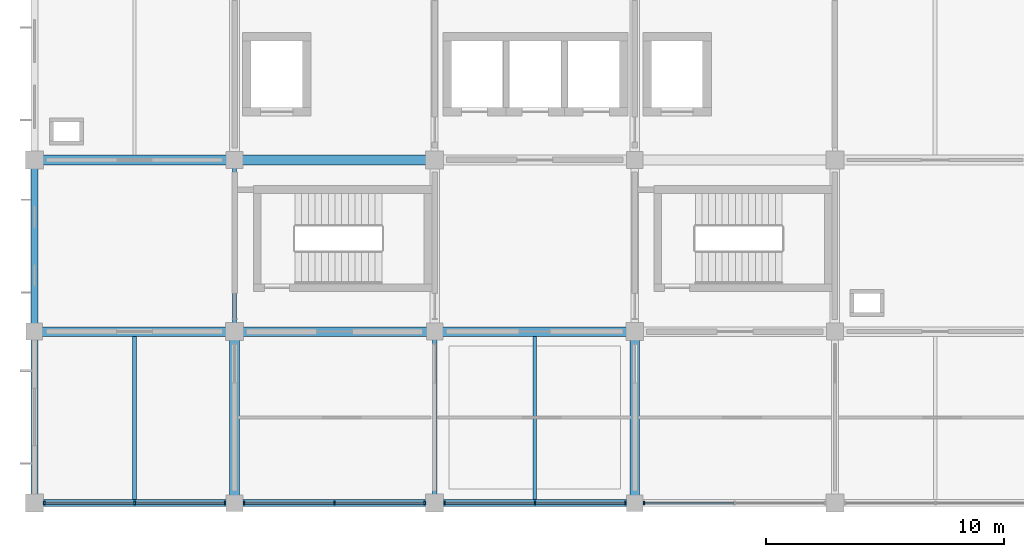
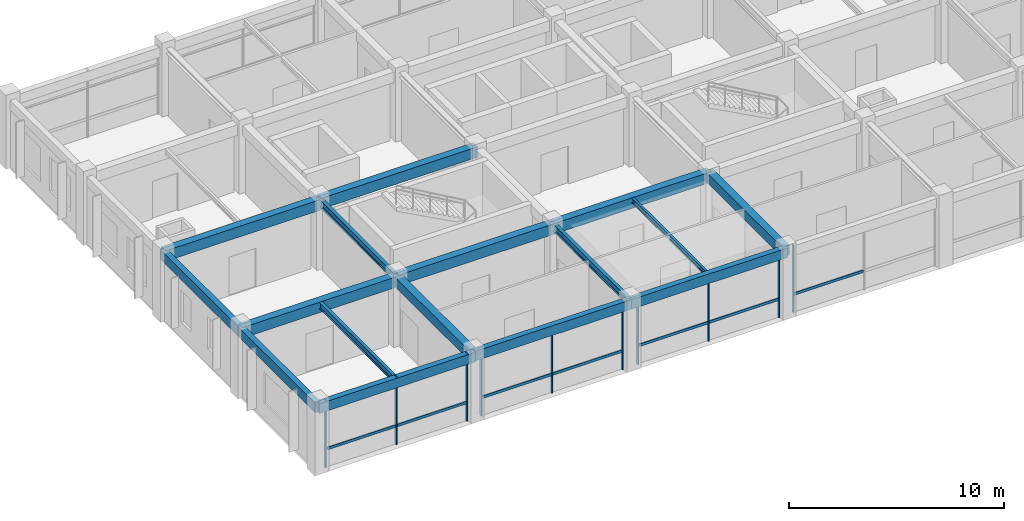
# One storey, part 2 of 13: 17 members, 16 beams, 4 elements without a shape of their own.
"""IFC4 building model written with IfcOpenShell, lengths in metres."""

from ifc_helpers import new_model, si_unit, derived_unit, direction, frame, origin, origin_2d, place, context, subcontext, project, spatial, rectangle, i_section, extrude, material, material_profile, profile_set, type_object, element, aggregate, save


model = new_model("IFC4")

# Units and contexts
model_context = context("Model", 3, precision=1e-05, world=origin(), true_north=direction((0.0, 1.0)))
body_context = subcontext(model_context, "Body", "Model", "MODEL_VIEW")
ifc_project = project(units=[si_unit("LENGTHUNIT", "METRE"), si_unit("AREAUNIT", "SQUARE_METRE"), si_unit("VOLUMEUNIT", "CUBIC_METRE"), si_unit("PLANEANGLEUNIT", "RADIAN"), si_unit("MASSUNIT", "GRAM", prefix="KILO"), derived_unit("THERMALTRANSMITTANCEUNIT", [(si_unit("MASSUNIT", "GRAM", prefix="KILO"), 1), (si_unit("TIMEUNIT", "SECOND"), -3), (si_unit("THERMODYNAMICTEMPERATUREUNIT", "KELVIN"), -1)])], contexts=[model_context])

# Site, building, storey
site_placement = place(None, origin())
site = spatial("IfcSite", under=ifc_project, at=site_placement, CompositionType="ELEMENT")
building_placement = place(site_placement, origin())
building = spatial("IfcBuilding", under=site, at=building_placement, Name="Veldstrom Oceanarium and Marine Research Institute", CompositionType="ELEMENT")
storey_placement = place(building_placement, frame((0.0, 0.0, 39.60009765625)))
storey = spatial("IfcBuildingStorey", under=building, at=storey_placement, Name="L08", CompositionType="ELEMENT", Elevation=39.60009765625)

# Curtain wall, members
ifc_material_1 = material(Name="Anodised Aluminium Framing", Category="aluminium")
curtain_wall_type = type_object("IfcCurtainWallType", Name="ARC-CW-CW04", PredefinedType="USERDEFINED", material=ifc_material_1)
curtain_wall_1_placement = place(storey_placement, origin())
curtain_wall_1 = element("IfcCurtainWall", 1, at=curtain_wall_1_placement, inside=storey, type_object=curtain_wall_type, Name="Curtain Wall CW04 CW-L08-122", ObjectType="Curtain wall", PredefinedType="USERDEFINED")
ifc_material_2 = material(Name="Anodised Aluminium Framing", Category="aluminium")
ifc_material_profile_1 = material_profile(ifc_material_2, rectangle(XDim=0.06494140625, YDim=0.14990234375, at=origin_2d()), Name="ALU-MUL-65x150")
ifc_profile_set_1 = profile_set([ifc_material_profile_1], Name="Anodised Aluminium Framing")
member_type_1 = type_object("IfcMemberType", Name="ARC-MUL-ML2", PredefinedType="MULLION", material=ifc_profile_set_1)
member_1_placement = place(storey_placement, frame((67.614990234375, 43.199951171875, 0.0), z_axis=(0.0, 0.0, 1.0), x_axis=(1.0, 0.0, 0.0)))
member_1 = element("IfcMember", 2, at=member_1_placement, type_object=member_type_1, Name="Curtain Wall Mullion CW-L08-122-MUL-1", PredefinedType="MULLION", context=body_context, shape_type="SweptSolid", body=[
    extrude(rectangle(XDim=0.06494140625, YDim=0.14990234375, at=origin_2d()), origin(), (0.0, 0.0, 1.0), 3.849853515625),
])
member_2_placement = place(storey_placement, frame((71.41259765625, 43.199951171875, 0.0), z_axis=(0.0, 0.0, 1.0), x_axis=(1.0, 0.0, 0.0)))
member_2 = element("IfcMember", 3, at=member_2_placement, type_object=member_type_1, Name="Curtain Wall Mullion CW-L08-122-MUL-2", PredefinedType="MULLION", context=body_context, shape_type="SweptSolid", body=[
    extrude(rectangle(XDim=0.06494140625, YDim=0.14990234375, at=origin_2d()), origin(), (0.0, 0.0, 1.0), 3.849853515625),
])
member_3_placement = place(storey_placement, frame((75.2099609375, 43.199951171875, 0.0), z_axis=(0.0, 0.0, 1.0), x_axis=(1.0, 0.0, 0.0)))
member_3 = element("IfcMember", 4, at=member_3_placement, type_object=member_type_1, Name="Curtain Wall Mullion CW-L08-122-MUL-3", PredefinedType="MULLION", context=body_context, shape_type="SweptSolid", body=[
    extrude(rectangle(XDim=0.06494140625, YDim=0.14990234375, at=origin_2d()), origin(), (0.0, 0.0, 1.0), 3.849853515625),
])

curtain_wall_2_placement = place(storey_placement, origin())
curtain_wall_2 = element("IfcCurtainWall", 5, at=curtain_wall_2_placement, inside=storey, type_object=curtain_wall_type, Name="Curtain Wall CW04 CW-L08-124", ObjectType="Curtain wall", PredefinedType="USERDEFINED")
member_4_placement = place(storey_placement, frame((75.989990234375, 43.199951171875, 0.0), z_axis=(0.0, 0.0, 1.0), x_axis=(1.0, 0.0, 0.0)))
member_4 = element("IfcMember", 6, at=member_4_placement, type_object=member_type_1, Name="Curtain Wall Mullion CW-L08-124-MUL-1", PredefinedType="MULLION", context=body_context, shape_type="SweptSolid", body=[
    extrude(rectangle(XDim=0.06494140625, YDim=0.14990234375, at=origin_2d()), origin(), (0.0, 0.0, 1.0), 3.849853515625),
])
member_5_placement = place(storey_placement, frame((79.78759765625, 43.199951171875, 0.0), z_axis=(0.0, 0.0, 1.0), x_axis=(1.0, 0.0, 0.0)))
member_5 = element("IfcMember", 7, at=member_5_placement, type_object=member_type_1, Name="Curtain Wall Mullion CW-L08-124-MUL-2", PredefinedType="MULLION", context=body_context, shape_type="SweptSolid", body=[
    extrude(rectangle(XDim=0.06494140625, YDim=0.14990234375, at=origin_2d()), origin(), (0.0, 0.0, 1.0), 3.849853515625),
])
member_6_placement = place(storey_placement, frame((83.5849609375, 43.199951171875, 0.0), z_axis=(0.0, 0.0, 1.0), x_axis=(1.0, 0.0, 0.0)))
member_6 = element("IfcMember", 8, at=member_6_placement, type_object=member_type_1, Name="Curtain Wall Mullion CW-L08-124-MUL-3", PredefinedType="MULLION", context=body_context, shape_type="SweptSolid", body=[
    extrude(rectangle(XDim=0.06494140625, YDim=0.14990234375, at=origin_2d()), origin(), (0.0, 0.0, 1.0), 3.849853515625),
])

curtain_wall_3_placement = place(storey_placement, origin())
curtain_wall_3 = element("IfcCurtainWall", 9, at=curtain_wall_3_placement, inside=storey, type_object=curtain_wall_type, Name="Curtain Wall CW04 CW-L08-126", ObjectType="Curtain wall", PredefinedType="USERDEFINED")
member_7_placement = place(storey_placement, frame((84.4150390625, 43.199951171875, 0.0), z_axis=(0.0, 0.0, 1.0), x_axis=(1.0, 0.0, 0.0)))
member_7 = element("IfcMember", 10, at=member_7_placement, type_object=member_type_1, Name="Curtain Wall Mullion CW-L08-126-MUL-1", PredefinedType="MULLION", context=body_context, shape_type="SweptSolid", body=[
    extrude(rectangle(XDim=0.06494140625, YDim=0.14990234375, at=origin_2d()), origin(), (0.0, 0.0, 1.0), 3.849853515625),
])
member_8_placement = place(storey_placement, frame((88.21240234375, 43.199951171875, 0.0), z_axis=(0.0, 0.0, 1.0), x_axis=(1.0, 0.0, 0.0)))
member_8 = element("IfcMember", 11, at=member_8_placement, type_object=member_type_1, Name="Curtain Wall Mullion CW-L08-126-MUL-2", PredefinedType="MULLION", context=body_context, shape_type="SweptSolid", body=[
    extrude(rectangle(XDim=0.06494140625, YDim=0.14990234375, at=origin_2d()), origin(), (0.0, 0.0, 1.0), 3.849853515625),
])
member_9_placement = place(storey_placement, frame((92.010009765625, 43.199951171875, 0.0), z_axis=(0.0, 0.0, 1.0), x_axis=(1.0, 0.0, 0.0)))
member_9 = element("IfcMember", 12, at=member_9_placement, type_object=member_type_1, Name="Curtain Wall Mullion CW-L08-126-MUL-3", PredefinedType="MULLION", context=body_context, shape_type="SweptSolid", body=[
    extrude(rectangle(XDim=0.06494140625, YDim=0.14990234375, at=origin_2d()), origin(), (0.0, 0.0, 1.0), 3.849853515625),
])

# Curtain wall, member
curtain_wall_4_placement = place(storey_placement, origin())
curtain_wall_4 = element("IfcCurtainWall", 13, at=curtain_wall_4_placement, inside=storey, type_object=curtain_wall_type, Name="Curtain Wall CW04 CW-L08-128", ObjectType="Curtain wall", PredefinedType="USERDEFINED")
member_10_placement = place(storey_placement, frame((92.7900390625, 43.199951171875, 0.0), z_axis=(0.0, 0.0, 1.0), x_axis=(1.0, 0.0, 0.0)))
member_10 = element("IfcMember", 14, at=member_10_placement, type_object=member_type_1, Name="Curtain Wall Mullion CW-L08-128-MUL-1", PredefinedType="MULLION", context=body_context, shape_type="SweptSolid", body=[
    extrude(rectangle(XDim=0.06494140625, YDim=0.14990234375, at=origin_2d()), origin(), (0.0, 0.0, 1.0), 3.849853515625),
])

# Member
ifc_material_3 = material(Name="Anodised Aluminium Framing", Category="aluminium")
ifc_material_profile_2 = material_profile(ifc_material_3, rectangle(XDim=0.074951171875, YDim=0.14990234375, at=origin_2d()), Name="ALU-TRN-75x150")
ifc_profile_set_2 = profile_set([ifc_material_profile_2], Name="Anodised Aluminium Framing")
member_type_2 = type_object("IfcMemberType", Name="ARC-TRN-TR1", PredefinedType="USERDEFINED", material=ifc_profile_set_2)
member_11_placement = place(storey_placement, frame((67.655029296875, 43.199951171875, 1.0498046875), z_axis=(1.0, 0.0, 0.0), x_axis=(0.0, 1.0, 0.0)))
member_11 = element("IfcMember", 15, at=member_11_placement, type_object=member_type_2, Name="Curtain Wall Transom CW-L08-122-TRN-1", ObjectType="Transom", PredefinedType="USERDEFINED", context=body_context, shape_type="SweptSolid", body=[
    extrude(rectangle(XDim=0.074951171875, YDim=0.14990234375, at=origin_2d()), origin(), (0.0, 0.0, 1.0), 3.717529296875),
])

member_12_placement = place(storey_placement, frame((71.452392578125, 43.199951171875, 1.0498046875), z_axis=(1.0, 0.0, 0.0), x_axis=(0.0, 1.0, 0.0)))
member_12 = element("IfcMember", 16, at=member_12_placement, type_object=member_type_2, Name="Curtain Wall Transom CW-L08-122-TRN-2", ObjectType="Transom", PredefinedType="USERDEFINED", context=body_context, shape_type="SweptSolid", body=[
    extrude(rectangle(XDim=0.074951171875, YDim=0.14990234375, at=origin_2d()), origin(), (0.0, 0.0, 1.0), 3.717529296875),
])

aggregate(curtain_wall_1, [member_1, member_2, member_3, member_11, member_12])

member_13_placement = place(storey_placement, frame((76.030029296875, 43.199951171875, 1.0498046875), z_axis=(1.0, 0.0, 0.0), x_axis=(0.0, 1.0, 0.0)))
member_13 = element("IfcMember", 17, at=member_13_placement, type_object=member_type_2, Name="Curtain Wall Transom CW-L08-124-TRN-1", ObjectType="Transom", PredefinedType="USERDEFINED", context=body_context, shape_type="SweptSolid", body=[
    extrude(rectangle(XDim=0.074951171875, YDim=0.14990234375, at=origin_2d()), origin(), (0.0, 0.0, 1.0), 3.717529296875),
])

member_14_placement = place(storey_placement, frame((79.827392578125, 43.199951171875, 1.0498046875), z_axis=(1.0, 0.0, 0.0), x_axis=(0.0, 1.0, 0.0)))
member_14 = element("IfcMember", 18, at=member_14_placement, type_object=member_type_2, Name="Curtain Wall Transom CW-L08-124-TRN-2", ObjectType="Transom", PredefinedType="USERDEFINED", context=body_context, shape_type="SweptSolid", body=[
    extrude(rectangle(XDim=0.074951171875, YDim=0.14990234375, at=origin_2d()), origin(), (0.0, 0.0, 1.0), 3.717529296875),
])

aggregate(curtain_wall_2, [member_4, member_5, member_6, member_13, member_14])

member_15_placement = place(storey_placement, frame((84.455078125, 43.199951171875, 1.0498046875), z_axis=(1.0, 0.0, 0.0), x_axis=(0.0, 1.0, 0.0)))
member_15 = element("IfcMember", 19, at=member_15_placement, type_object=member_type_2, Name="Curtain Wall Transom CW-L08-126-TRN-1", ObjectType="Transom", PredefinedType="USERDEFINED", context=body_context, shape_type="SweptSolid", body=[
    extrude(rectangle(XDim=0.074951171875, YDim=0.14990234375, at=origin_2d()), origin(), (0.0, 0.0, 1.0), 3.717529296875),
])

member_16_placement = place(storey_placement, frame((88.25244140625, 43.199951171875, 1.0498046875), z_axis=(1.0, 0.0, 0.0), x_axis=(0.0, 1.0, 0.0)))
member_16 = element("IfcMember", 20, at=member_16_placement, type_object=member_type_2, Name="Curtain Wall Transom CW-L08-126-TRN-2", ObjectType="Transom", PredefinedType="USERDEFINED", context=body_context, shape_type="SweptSolid", body=[
    extrude(rectangle(XDim=0.074951171875, YDim=0.14990234375, at=origin_2d()), origin(), (0.0, 0.0, 1.0), 3.717529296875),
])

aggregate(curtain_wall_3, [member_7, member_8, member_9, member_15, member_16])

member_17_placement = place(storey_placement, frame((92.830078125, 43.199951171875, 1.0498046875), z_axis=(1.0, 0.0, 0.0), x_axis=(0.0, 1.0, 0.0)))
member_17 = element("IfcMember", 21, at=member_17_placement, type_object=member_type_2, Name="Curtain Wall Transom CW-L08-128-TRN-1", ObjectType="Transom", PredefinedType="USERDEFINED", context=body_context, shape_type="SweptSolid", body=[
    extrude(rectangle(XDim=0.074951171875, YDim=0.14990234375, at=origin_2d()), origin(), (0.0, 0.0, 1.0), 3.717529296875),
])

aggregate(curtain_wall_4, [member_10, member_17])

# Beams
ifc_material_4 = material(Name="Concrete C40/50", Category="concrete")
ifc_material_profile_3 = material_profile(ifc_material_4, rectangle(XDim=0.39990234375, YDim=0.60009765625, at=origin_2d()), Name="RC-BM-400x600")
ifc_profile_set_3 = profile_set([ifc_material_profile_3], Name="Concrete C40/50")
beam_type_1 = type_object("IfcBeamType", Name="STR-BM-B06", PredefinedType="BEAM", material=ifc_profile_set_3)
for number, where, z_axis, x_axis, name in (
    (22, (67.199951171875, 50.39990234375, 3.544921875), (1.0, 0.0, 0.0), (0.0, 1.0, 0.0), "Primary Beam B06 L08-2409"),
    (23, (67.199951171875, 57.60009765625, 3.544921875), (1.0, 0.0, 0.0), (0.0, 1.0, 0.0), "Primary Beam B06 L08-2410"),
):
    element("IfcBeam", number, at=place(storey_placement, frame(where, z_axis=z_axis, x_axis=x_axis)), inside=storey, type_object=beam_type_1, Name=name, PredefinedType="BEAM", context=body_context, shape_type="SweptSolid", body=[
        extrude(rectangle(XDim=0.39990234375, YDim=0.60009765625, at=origin_2d()), origin(), (0.0, 0.0, 1.0), 8.400146484375),
    ])
for number, where, z_axis, x_axis, name in (
    (24, (75.60009765625, 50.39990234375, 3.594970703125), (1.0, 0.0, 0.0), (0.0, 1.0, 0.0), "Primary Beam B06 L08-2414"),
    (25, (75.60009765625, 57.60009765625, 3.594970703125), (1.0, 0.0, 0.0), (0.0, 1.0, 0.0), "Primary Beam B06 L08-2415"),
    (26, (84.0, 50.39990234375, 3.594970703125), (1.0, 0.0, 0.0), (0.0, 1.0, 0.0), "Primary Beam B06 L08-2419"),
):
    element("IfcBeam", number, at=place(storey_placement, frame(where, z_axis=z_axis, x_axis=x_axis)), inside=storey, type_object=beam_type_1, Name=name, PredefinedType="BEAM", context=body_context, shape_type="SweptSolid", body=[
        extrude(rectangle(XDim=0.39990234375, YDim=0.60009765625, at=origin_2d()), origin(), (0.0, 0.0, 1.0), 8.39990234375),
    ])
ifc_material_5 = material(Name="Concrete C40/50", Category="concrete")
ifc_material_profile_4 = material_profile(ifc_material_5, rectangle(XDim=0.39990234375, YDim=0.550048828125, at=origin_2d()), Name="RC-BM-400x550")
ifc_profile_set_4 = profile_set([ifc_material_profile_4], Name="Concrete C40/50")
beam_type_2 = type_object("IfcBeamType", Name="STR-BM-B07", PredefinedType="BEAM", material=ifc_profile_set_4)
for number, where, z_axis, x_axis, name in (
    (27, (75.60009765625, 43.199951171875, 3.56982421875), (0.0, 1.0, 0.0), (-1.0, 0.0, 0.0), "Primary Beam B07 L08-2441"),
    (28, (92.39990234375, 43.199951171875, 3.619873046875), (0.0, 1.0, 0.0), (-1.0, 0.0, 0.0), "Primary Beam B07 L08-2449"),
):
    element("IfcBeam", number, at=place(storey_placement, frame(where, z_axis=z_axis, x_axis=x_axis)), inside=storey, type_object=beam_type_2, Name=name, PredefinedType="BEAM", context=body_context, shape_type="SweptSolid", body=[
        extrude(rectangle(XDim=0.39990234375, YDim=0.550048828125, at=origin_2d()), origin(), (0.0, 0.0, 1.0), 7.199951171875),
    ])
ifc_material_6 = material(Name="Steel S355JR", Category="steel")
ifc_material_profile_5 = material_profile(ifc_material_6, i_section(OverallWidth=0.179931640625, OverallDepth=0.39990234375, WebThickness=0.008544921875, FlangeThickness=0.013427734375, FilletRadius=0.02099609375, at=origin_2d()), Name="IPE 400")
ifc_profile_set_5 = profile_set([ifc_material_profile_5], Name="Steel S355JR")
beam_type_3 = type_object("IfcBeamType", Name="STR-BM-SB8", PredefinedType="BEAM", material=ifc_profile_set_5)
beam_1_placement = place(storey_placement, frame((75.60009765625, 50.39990234375, 3.64501953125), z_axis=(0.0, 1.0, 0.0), x_axis=(-1.0, 0.0, 0.0)))
element("IfcBeam", 29, at=beam_1_placement, inside=storey, type_object=beam_type_3, Name="Steel Tie Beam SB8 L08-2442", PredefinedType="BEAM", context=body_context, shape_type="SweptSolid", body=[
    extrude(i_section(OverallWidth=0.179931640625, OverallDepth=0.39990234375, WebThickness=0.008544921875, FlangeThickness=0.013427734375, FilletRadius=0.02099609375, at=origin_2d()), origin(), (0.0, 0.0, 1.0), 7.2001953125),
])
beam_2_placement = place(storey_placement, frame((84.0, 43.199951171875, 3.69482421875), z_axis=(0.0, 1.0, 0.0), x_axis=(-1.0, 0.0, 0.0)))
element("IfcBeam", 30, at=beam_2_placement, inside=storey, type_object=beam_type_3, Name="Steel Tie Beam SB8 L08-2445", PredefinedType="BEAM", context=body_context, shape_type="SweptSolid", body=[
    extrude(i_section(OverallWidth=0.179931640625, OverallDepth=0.39990234375, WebThickness=0.008544921875, FlangeThickness=0.013427734375, FilletRadius=0.02099609375, at=origin_2d()), origin(), (0.0, 0.0, 1.0), 7.199951171875),
])
ifc_material_7 = material(Name="Steel S355JR", Category="steel")
ifc_material_profile_6 = material_profile(ifc_material_7, i_section(OverallWidth=0.169921875, OverallDepth=0.360107421875, WebThickness=0.008056640625, FlangeThickness=0.0126953125, FilletRadius=0.01806640625, at=origin_2d()), Name="IPE 360")
ifc_profile_set_6 = profile_set([ifc_material_profile_6], Name="Steel S355JR")
beam_type_4 = type_object("IfcBeamType", Name="STR-JST-SJ1", PredefinedType="JOIST", material=ifc_profile_set_6)
beam_3_placement = place(storey_placement, frame((71.39990234375, 43.35009765625, 3.664794921875), z_axis=(0.0, 1.0, 0.0), x_axis=(-1.0, 0.0, 0.0)))
element("IfcBeam", 31, at=beam_3_placement, inside=storey, type_object=beam_type_4, Name="Secondary Joist SJ1 L08-2464", PredefinedType="JOIST", context=body_context, shape_type="SweptSolid", body=[
    extrude(i_section(OverallWidth=0.169921875, OverallDepth=0.360107421875, WebThickness=0.008056640625, FlangeThickness=0.0126953125, FilletRadius=0.01806640625, at=origin_2d()), origin(), (0.0, 0.0, 1.0), 6.849853515625),
])
ifc_material_8 = material(Name="Steel S355JR", Category="steel")
ifc_material_profile_7 = material_profile(ifc_material_8, i_section(OverallWidth=0.135009765625, OverallDepth=0.27001953125, WebThickness=0.006591796875, FlangeThickness=0.01025390625, FilletRadius=0.014892578125, at=origin_2d()), Name="IPE 270")
ifc_profile_set_7 = profile_set([ifc_material_profile_7], Name="Steel S355JR")
beam_type_5 = type_object("IfcBeamType", Name="STR-JST-SJ3", PredefinedType="JOIST", material=ifc_profile_set_7)
beam_4_placement = place(storey_placement, frame((88.199951171875, 43.35009765625, 3.760009765625), z_axis=(0.0, 1.0, 0.0), x_axis=(-1.0, 0.0, 0.0)))
element("IfcBeam", 32, at=beam_4_placement, inside=storey, type_object=beam_type_5, Name="Secondary Joist SJ3 L08-2467", PredefinedType="JOIST", context=body_context, shape_type="SweptSolid", body=[
    extrude(i_section(OverallWidth=0.135009765625, OverallDepth=0.27001953125, WebThickness=0.006591796875, FlangeThickness=0.01025390625, FilletRadius=0.014892578125, at=origin_2d()), origin(), (0.0, 0.0, 1.0), 6.849853515625),
])
ifc_material_9 = material(Name="Concrete C40/50", Category="concrete")
ifc_material_profile_8 = material_profile(ifc_material_9, rectangle(XDim=0.300048828125, YDim=0.550048828125, at=origin_2d()), Name="RC-SPN-300x550")
ifc_profile_set_8 = profile_set([ifc_material_profile_8], Name="Concrete C40/50")
beam_type_6 = type_object("IfcBeamType", Name="STR-SPN-SP2", PredefinedType="SPANDREL", material=ifc_profile_set_8)
beam_5_placement = place(storey_placement, frame((67.199951171875, 43.199951171875, 3.56982421875), z_axis=(1.0, 0.0, 0.0), x_axis=(0.0, 1.0, 0.0)))
element("IfcBeam", 33, at=beam_5_placement, inside=storey, type_object=beam_type_6, Name="Perimeter Spandrel SPB2 L08-2408", PredefinedType="SPANDREL", context=body_context, shape_type="SweptSolid", body=[
    extrude(rectangle(XDim=0.300048828125, YDim=0.550048828125, at=origin_2d()), origin(), (0.0, 0.0, 1.0), 8.400146484375),
])
for number, where, z_axis, x_axis, name in (
    (34, (75.60009765625, 43.199951171875, 3.619873046875), (1.0, 0.0, 0.0), (0.0, 1.0, 0.0), "Perimeter Spandrel SPB2 L08-2413"),
    (35, (84.0, 43.199951171875, 3.619873046875), (1.0, 0.0, 0.0), (0.0, 1.0, 0.0), "Perimeter Spandrel SPB2 L08-2418"),
):
    element("IfcBeam", number, at=place(storey_placement, frame(where, z_axis=z_axis, x_axis=x_axis)), inside=storey, type_object=beam_type_6, Name=name, PredefinedType="SPANDREL", context=body_context, shape_type="SweptSolid", body=[
        extrude(rectangle(XDim=0.300048828125, YDim=0.550048828125, at=origin_2d()), origin(), (0.0, 0.0, 1.0), 8.39990234375),
    ])
beam_6_placement = place(storey_placement, frame((67.199951171875, 43.199951171875, 3.56982421875), z_axis=(0.0, 1.0, 0.0), x_axis=(-1.0, 0.0, 0.0)))
element("IfcBeam", 36, at=beam_6_placement, inside=storey, type_object=beam_type_6, Name="Perimeter Spandrel SPB2 L08-2437", PredefinedType="SPANDREL", context=body_context, shape_type="SweptSolid", body=[
    extrude(rectangle(XDim=0.300048828125, YDim=0.550048828125, at=origin_2d()), origin(), (0.0, 0.0, 1.0), 7.199951171875),
])
beam_7_placement = place(storey_placement, frame((67.199951171875, 50.39990234375, 3.56982421875), z_axis=(0.0, 1.0, 0.0), x_axis=(-1.0, 0.0, 0.0)))
element("IfcBeam", 37, at=beam_7_placement, inside=storey, type_object=beam_type_6, Name="Perimeter Spandrel SPB2 L08-2438", PredefinedType="SPANDREL", context=body_context, shape_type="SweptSolid", body=[
    extrude(rectangle(XDim=0.300048828125, YDim=0.550048828125, at=origin_2d()), origin(), (0.0, 0.0, 1.0), 7.2001953125),
])

save(model, "model.ifc")
